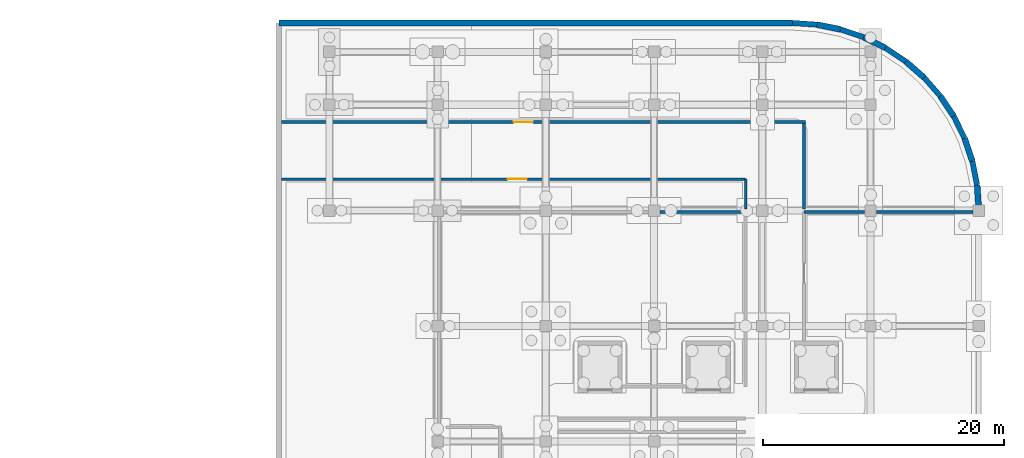
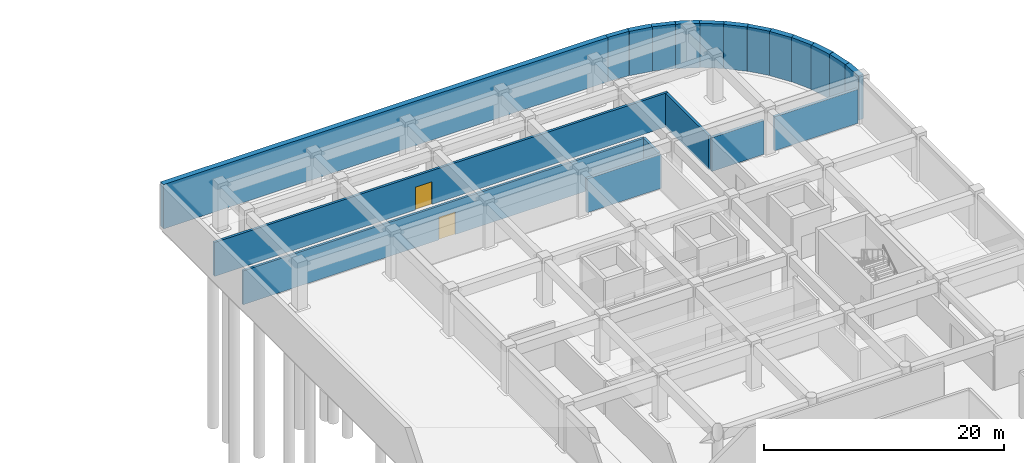
# One storey, part 19 of 47: 20 walls, 2 doors, 2 openings.
"""IFC4 building model written with IfcOpenShell, lengths in metres."""

from ifc_helpers import new_model, si_unit, direction, frame, frame_2d, origin, place, context, subcontext, project, spatial, rectangle, extrude, material, layer, layer_set, type_object, element, fill, save


model = new_model("IFC4")

# Units and contexts
model_context = context("Model", 3, precision=1e-05, world=origin(), true_north=direction((0.0, 1.0)))
body_context = subcontext(model_context, "Body", "Model", "MODEL_VIEW")
ifc_project = project(units=[si_unit("LENGTHUNIT", "METRE"), si_unit("AREAUNIT", "SQUARE_METRE"), si_unit("VOLUMEUNIT", "CUBIC_METRE"), si_unit("PLANEANGLEUNIT", "RADIAN"), si_unit("MASSUNIT", "GRAM", prefix="KILO")], contexts=[model_context])

# Site, building, storey
site_placement = place(None, origin())
site = spatial("IfcSite", under=ifc_project, at=site_placement, CompositionType="ELEMENT")
building_placement = place(site_placement, origin())
building = spatial("IfcBuilding", under=site, at=building_placement, Name="Cendralis Terraced Arcade", CompositionType="ELEMENT")
storey_placement = place(building_placement, frame((0.0, 0.0, -4.800048828125)))
storey = spatial("IfcBuildingStorey", under=building, at=storey_placement, Name="B1", CompositionType="ELEMENT", Elevation=-4.800048828125)

# Wall, opening, door
ifc_material_1 = material(Name="Autoclaved aerated concrete blockwork", Category="masonry")
ifc_layer_1 = layer(ifc_material_1, 0.215087890625, Name="WL-FIRE-215")
ifc_layer_set_1 = layer_set([ifc_layer_1], Name="Autoclaved aerated concrete blockwork")
wall_type_1 = type_object("IfcWallType", Name="WL-FIRE-215", PredefinedType="PARTITIONING", material=ifc_layer_set_1)
wall_1_placement = place(storey_placement, frame((108.22509765625, 101.02001953125, 0.0), z_axis=(0.0, 0.0, 1.0), x_axis=(1.0, 0.0, 0.0)))
wall_1 = element("IfcWall", 1, at=wall_1_placement, inside=storey, type_object=wall_type_1, Name="Interior Partition Wall IW-B1-0184", PredefinedType="PARTITIONING", context=body_context, shape_type="SweptSolid", body=[
    extrude(rectangle(XDim=38.594970703125, YDim=0.215087890625, at=frame_2d((19.29736328125, 0.0))), origin(), (0.0, 0.0, 1.0), 3.43994140625),
])
opening_1_placement = place(wall_1_placement, frame((18.804931640625, 0.0, 0.0)))
opening_1 = element("IfcOpeningElement", 2, at=opening_1_placement, cuts=wall_1, Name="Opening D-B1-056", PredefinedType="OPENING", context=body_context, shape_type="SweptSolid", body=[
    extrude(rectangle(XDim=1.60009765625, YDim=2.300048828125, at=frame_2d((0.800048828125, 1.14990234375))), frame((0.0, 0.11962890625, 0.0), z_axis=(0.0, -1.0, 0.0), x_axis=(1.0, 0.0, 0.0)), (0.0, 0.0, 1.0), 0.239013671875),
])
ifc_material_2 = material(Name="Galvanised fire-rated steel door assembly", Category="steel")
door_type = type_object("IfcDoorType", Name="ID-PLT-1600x2300", OperationType="DOUBLE_DOOR_SINGLE_SWING", PredefinedType="DOOR", material=ifc_material_2)
door_1_placement = place(opening_1_placement, origin())
door_1 = element("IfcDoor", 3, at=door_1_placement, inside=storey, type_object=door_type, Name="Substation, Chiller, Water Tank and Standby Power Plant - North Hall Door D-B1-056", OperationType="DOUBLE_DOOR_SINGLE_SWING", OverallHeight=2.300048828125, OverallWidth=1.60009765625, PredefinedType="DOOR", context=body_context, shape_type="SweptSolid", body=[
    extrude(rectangle(XDim=1.60009765625, YDim=2.300048828125, at=frame_2d((0.800048828125, 1.14990234375))), frame((0.0, 0.02490234375, 0.0), z_axis=(0.0, -1.0, 0.0), x_axis=(1.0, 0.0, 0.0)), (0.0, 0.0, 1.0), 0.050048828125),
])
fill(opening_1, door_1)

# Wall
wall_2_placement = place(storey_placement, frame((146.820068359375, 101.02001953125, 0.0), z_axis=(0.0, 0.0, 1.0), x_axis=(0.0, -1.0, 0.0)))
element("IfcWall", 4, at=wall_2_placement, inside=storey, type_object=wall_type_1, Name="Interior Partition Wall IW-B1-0188", PredefinedType="PARTITIONING", context=body_context, shape_type="SweptSolid", body=[
    extrude(rectangle(XDim=2.5, YDim=0.215087890625, at=frame_2d((1.25, 0.0))), origin(), (0.0, 0.0, 1.0), 3.43994140625),
])

# Wall, opening, door
ifc_layer_2 = layer(ifc_material_1, 0.235107421875, Name="WL-FIRE-235")
ifc_layer_set_2 = layer_set([ifc_layer_2], Name="Autoclaved aerated concrete blockwork")
wall_type_2 = type_object("IfcWallType", Name="WL-FIRE-235", PredefinedType="PARTITIONING", material=ifc_layer_set_2)
wall_3_placement = place(storey_placement, frame((151.797607421875, 105.780029296875, 0.0), z_axis=(0.0, 0.0, 1.0), x_axis=(-1.0, 0.0, 0.0)))
wall_3 = element("IfcWall", 5, at=wall_3_placement, inside=storey, type_object=wall_type_2, Name="Interior Partition Wall IW-B1-0182", PredefinedType="PARTITIONING", context=body_context, shape_type="SweptSolid", body=[
    extrude(rectangle(XDim=43.572509765625, YDim=0.235107421875, at=frame_2d((21.7861328125, 0.0))), origin(), (0.0, 0.0, 1.0), 3.43994140625),
])
opening_2_placement = place(wall_3_placement, frame((22.66748046875, 0.0, 0.0)))
opening_2 = element("IfcOpeningElement", 6, at=opening_2_placement, cuts=wall_3, Name="Opening D-B1-055", PredefinedType="OPENING", context=body_context, shape_type="SweptSolid", body=[
    extrude(rectangle(XDim=1.60009765625, YDim=2.300048828125, at=frame_2d((0.800048828125, 1.14990234375))), frame((0.0, 0.12939453125, 0.0), z_axis=(0.0, -1.0, 0.0), x_axis=(1.0, 0.0, 0.0)), (0.0, 0.0, 1.0), 0.259033203125),
])
door_2_placement = place(opening_2_placement, origin())
door_2 = element("IfcDoor", 7, at=door_2_placement, inside=storey, type_object=door_type, Name="Substation, Chiller, Water Tank and Standby Power Plant - North Hall Door D-B1-055", OperationType="DOUBLE_DOOR_SINGLE_SWING", OverallHeight=2.300048828125, OverallWidth=1.60009765625, PredefinedType="DOOR", context=body_context, shape_type="SweptSolid", body=[
    extrude(rectangle(XDim=1.60009765625, YDim=2.300048828125, at=frame_2d((0.800048828125, 1.14990234375))), frame((0.0, 0.02490234375, 0.0), z_axis=(0.0, -1.0, 0.0), x_axis=(1.0, 0.0, 0.0)), (0.0, 0.0, 1.0), 0.050048828125),
])
fill(opening_2, door_2)

# Walls
wall_4_placement = place(storey_placement, frame((151.679931640625, 98.52001953125, 0.0), z_axis=(0.0, 0.0, 1.0), x_axis=(0.0, 1.0, 0.0)))
element("IfcWall", 8, at=wall_4_placement, inside=storey, type_object=wall_type_2, Name="Interior Partition Wall IW-B1-0183", PredefinedType="PARTITIONING", context=body_context, shape_type="SweptSolid", body=[
    extrude(rectangle(XDim=7.142578125, YDim=0.235107421875, at=frame_2d((3.5712890625, 0.0))), origin(), (0.0, 0.0, 1.0), 3.43994140625),
])
ifc_layer_3 = layer(ifc_material_1, 0.241943359375, Name="WL-FIRE-242")
ifc_layer_set_3 = layer_set([ifc_layer_3], Name="Autoclaved aerated concrete blockwork")
wall_type_3 = type_object("IfcWallType", Name="WL-FIRE-242", PredefinedType="PARTITIONING", material=ifc_layer_set_3)
wall_5_placement = place(storey_placement, frame((139.695068359375, 98.280029296875, 0.0), z_axis=(0.0, 0.0, 1.0), x_axis=(1.0, 0.0, 0.0)))
element("IfcWall", 9, at=wall_5_placement, inside=storey, type_object=wall_type_3, Name="Interior Partition Wall IW-B1-0175", PredefinedType="PARTITIONING", context=body_context, shape_type="SweptSolid", body=[
    extrude(rectangle(XDim=7.125, YDim=0.241943359375, at=frame_2d((3.5625, 0.0))), origin(), (0.0, 0.0, 1.0), 3.43994140625),
])
ifc_layer_4 = layer(ifc_material_1, 0.260009765625, Name="WL-FIRE-260")
ifc_layer_set_4 = layer_set([ifc_layer_4], Name="Autoclaved aerated concrete blockwork")
wall_type_4 = type_object("IfcWallType", Name="WL-FIRE-260", PredefinedType="PARTITIONING", material=ifc_layer_set_4)
wall_6_placement = place(storey_placement, frame((151.679931640625, 98.280029296875, 0.0), z_axis=(0.0, 0.0, 1.0), x_axis=(1.0, 0.0, 0.0)))
element("IfcWall", 10, at=wall_6_placement, inside=storey, type_object=wall_type_4, Name="Interior Partition Wall IW-B1-0167", PredefinedType="PARTITIONING", context=body_context, shape_type="SweptSolid", body=[
    extrude(rectangle(XDim=5.025146484375, YDim=0.260009765625, at=frame_2d((2.5126953125, 0.0))), origin(), (0.0, 0.0, 1.0), 3.43994140625),
])
wall_7_placement = place(storey_placement, frame((157.695068359375, 98.280029296875, 0.0), z_axis=(0.0, 0.0, 1.0), x_axis=(1.0, 0.0, 0.0)))
element("IfcWall", 11, at=wall_7_placement, inside=storey, type_object=wall_type_4, Name="Interior Partition Wall IW-B1-0168", PredefinedType="PARTITIONING", context=body_context, shape_type="SweptSolid", body=[
    extrude(rectangle(XDim=8.010009765625, YDim=0.260009765625, at=frame_2d((4.0048828125, 0.0))), origin(), (0.0, 0.0, 1.0), 3.43994140625),
])
ifc_material_3 = material(Name="Concrete f'c 35 MPa", Category="concrete")
ifc_layer_5 = layer(ifc_material_3, 0.449951171875, Name="WL-RET-450")
ifc_layer_set_5 = layer_set([ifc_layer_5], Name="Concrete f'c 35 MPa")
wall_type_5 = type_object("IfcWallType", Name="WL-RET-450", PredefinedType="USERDEFINED", material=ifc_layer_set_5)
for number, where, z_axis, x_axis, name in (
    (12, (150.699951171875, 114.0, 0.0), (0.0, 0.0, 1.0), (0.997860170016, -0.065384104298, 0.0), "Basement Reinforced Concrete Retaining Wall RW-B1-34"),
    (13, (154.711669921875, 113.471923828125, 0.0), (0.0, 0.0, 1.0), (0.946910640258, -0.321496873028, 0.0), "Basement Reinforced Concrete Retaining Wall RW-B1-36"),
):
    element("IfcWall", number, at=place(storey_placement, frame(where, z_axis=z_axis, x_axis=x_axis)), inside=storey, type_object=wall_type_5, Name=name, ObjectType="RETAINING WALL", PredefinedType="USERDEFINED", context=body_context, shape_type="SweptSolid", body=[
        extrude(rectangle(XDim=2.027587890625, YDim=0.449951171875, at=frame_2d((1.013671875, 0.0))), origin(), (0.0, 0.0, 1.0), 4.5),
    ])
wall_8_placement = place(storey_placement, frame((158.449951171875, 111.92333984375, 0.0), z_axis=(0.0, 0.0, 1.0), x_axis=(0.83151263749, -0.555505835878, 0.0)))
element("IfcWall", 14, at=wall_8_placement, inside=storey, type_object=wall_type_5, Name="Basement Reinforced Concrete Retaining Wall RW-B1-38", ObjectType="RETAINING WALL", PredefinedType="USERDEFINED", context=body_context, shape_type="SweptSolid", body=[
    extrude(rectangle(XDim=2.02734375, YDim=0.449951171875, at=frame_2d((1.013671875, 0.0))), origin(), (0.0, 0.0, 1.0), 4.5),
])
wall_9_placement = place(storey_placement, frame((161.66015625, 109.460205078125, 0.0), z_axis=(0.0, 0.0, 1.0), x_axis=(0.659356634584, -0.751830318908, 0.0)))
element("IfcWall", 15, at=wall_9_placement, inside=storey, type_object=wall_type_5, Name="Basement Reinforced Concrete Retaining Wall RW-B1-40", ObjectType="RETAINING WALL", PredefinedType="USERDEFINED", context=body_context, shape_type="SweptSolid", body=[
    extrude(rectangle(XDim=2.027587890625, YDim=0.449951171875, at=frame_2d((1.013671875, 0.0))), origin(), (0.0, 0.0, 1.0), 4.5),
])
wall_10_placement = place(storey_placement, frame((164.123291015625, 106.25, 0.0), z_axis=(0.0, 0.0, 1.0), x_axis=(0.442293810985, -0.896870216232, 0.0)))
element("IfcWall", 16, at=wall_10_placement, inside=storey, type_object=wall_type_5, Name="Basement Reinforced Concrete Retaining Wall RW-B1-42", ObjectType="RETAINING WALL", PredefinedType="USERDEFINED", context=body_context, shape_type="SweptSolid", body=[
    extrude(rectangle(XDim=2.02734375, YDim=0.449951171875, at=frame_2d((1.013671875, 0.0))), origin(), (0.0, 0.0, 1.0), 4.5),
])
wall_11_placement = place(storey_placement, frame((165.671875, 102.51171875, 0.0), z_axis=(0.0, 0.0, 1.0), x_axis=(0.195073962632, -0.980788534345, 0.0)))
element("IfcWall", 17, at=wall_11_placement, inside=storey, type_object=wall_type_5, Name="Basement Reinforced Concrete Retaining Wall RW-B1-44", ObjectType="RETAINING WALL", PredefinedType="USERDEFINED", context=body_context, shape_type="SweptSolid", body=[
    extrude(rectangle(XDim=2.027587890625, YDim=0.449951171875, at=frame_2d((1.013671875, 0.0))), origin(), (0.0, 0.0, 1.0), 4.5),
])
ifc_layer_6 = layer(ifc_material_3, 0.5, Name="WL-RET-500")
ifc_layer_set_6 = layer_set([ifc_layer_6], Name="Concrete f'c 35 MPa")
wall_type_6 = type_object("IfcWallType", Name="WL-RET-500", PredefinedType="USERDEFINED", material=ifc_layer_set_6)
wall_12_placement = place(storey_placement, frame((108.0, 114.0, 0.0), z_axis=(0.0, 0.0, 1.0), x_axis=(1.0, 0.0, 0.0)))
element("IfcWall", 18, at=wall_12_placement, inside=storey, type_object=wall_type_6, Name="Basement Reinforced Concrete Retaining Wall RW-B1-33", ObjectType="RETAINING WALL", PredefinedType="USERDEFINED", context=body_context, shape_type="SweptSolid", body=[
    extrude(rectangle(XDim=42.699951171875, YDim=0.5, at=frame_2d((21.35009765625, 0.0))), origin(), (0.0, 0.0, 1.0), 4.5),
])
wall_13_placement = place(storey_placement, frame((152.72314453125, 113.867431640625, 0.0), z_axis=(0.0, 0.0, 1.0), x_axis=(0.980788534345, -0.195073962632, 0.0)))
element("IfcWall", 19, at=wall_13_placement, inside=storey, type_object=wall_type_6, Name="Basement Reinforced Concrete Retaining Wall RW-B1-35", ObjectType="RETAINING WALL", PredefinedType="USERDEFINED", context=body_context, shape_type="SweptSolid", body=[
    extrude(rectangle(XDim=2.027587890625, YDim=0.5, at=frame_2d((1.013671875, 0.0))), origin(), (0.0, 0.0, 1.0), 4.5),
])
wall_14_placement = place(storey_placement, frame((156.631591796875, 112.820068359375, 0.0), z_axis=(0.0, 0.0, 1.0), x_axis=(0.896870216232, -0.442293810985, 0.0)))
element("IfcWall", 20, at=wall_14_placement, inside=storey, type_object=wall_type_6, Name="Basement Reinforced Concrete Retaining Wall RW-B1-37", ObjectType="RETAINING WALL", PredefinedType="USERDEFINED", context=body_context, shape_type="SweptSolid", body=[
    extrude(rectangle(XDim=2.02734375, YDim=0.5, at=frame_2d((1.013671875, 0.0))), origin(), (0.0, 0.0, 1.0), 4.5),
])
wall_15_placement = place(storey_placement, frame((160.1357421875, 110.797119140625, 0.0), z_axis=(0.0, 0.0, 1.0), x_axis=(0.751830318908, -0.659356634584, 0.0)))
element("IfcWall", 21, at=wall_15_placement, inside=storey, type_object=wall_type_6, Name="Basement Reinforced Concrete Retaining Wall RW-B1-39", ObjectType="RETAINING WALL", PredefinedType="USERDEFINED", context=body_context, shape_type="SweptSolid", body=[
    extrude(rectangle(XDim=2.027587890625, YDim=0.5, at=frame_2d((1.013671875, 0.0))), origin(), (0.0, 0.0, 1.0), 4.5),
])
wall_16_placement = place(storey_placement, frame((162.9970703125, 107.935791015625, 0.0), z_axis=(0.0, 0.0, 1.0), x_axis=(0.555505835878, -0.83151263749, 0.0)))
element("IfcWall", 22, at=wall_16_placement, inside=storey, type_object=wall_type_6, Name="Basement Reinforced Concrete Retaining Wall RW-B1-41", ObjectType="RETAINING WALL", PredefinedType="USERDEFINED", context=body_context, shape_type="SweptSolid", body=[
    extrude(rectangle(XDim=2.02734375, YDim=0.5, at=frame_2d((1.013671875, 0.0))), origin(), (0.0, 0.0, 1.0), 4.5),
])
for number, where, z_axis, x_axis, name in (
    (23, (165.02001953125, 104.431640625, 0.0), (0.0, 0.0, 1.0), (0.321496873028, -0.946910640258, 0.0), "Basement Reinforced Concrete Retaining Wall RW-B1-43"),
    (24, (166.0673828125, 100.523193359375, 0.0), (0.0, 0.0, 1.0), (0.065384104298, -0.997860170016, 0.0), "Basement Reinforced Concrete Retaining Wall RW-B1-45"),
):
    element("IfcWall", number, at=place(storey_placement, frame(where, z_axis=z_axis, x_axis=x_axis)), inside=storey, type_object=wall_type_6, Name=name, ObjectType="RETAINING WALL", PredefinedType="USERDEFINED", context=body_context, shape_type="SweptSolid", body=[
        extrude(rectangle(XDim=2.027587890625, YDim=0.5, at=frame_2d((1.013671875, 0.0))), origin(), (0.0, 0.0, 1.0), 4.5),
    ])

save(model, "model.ifc")
